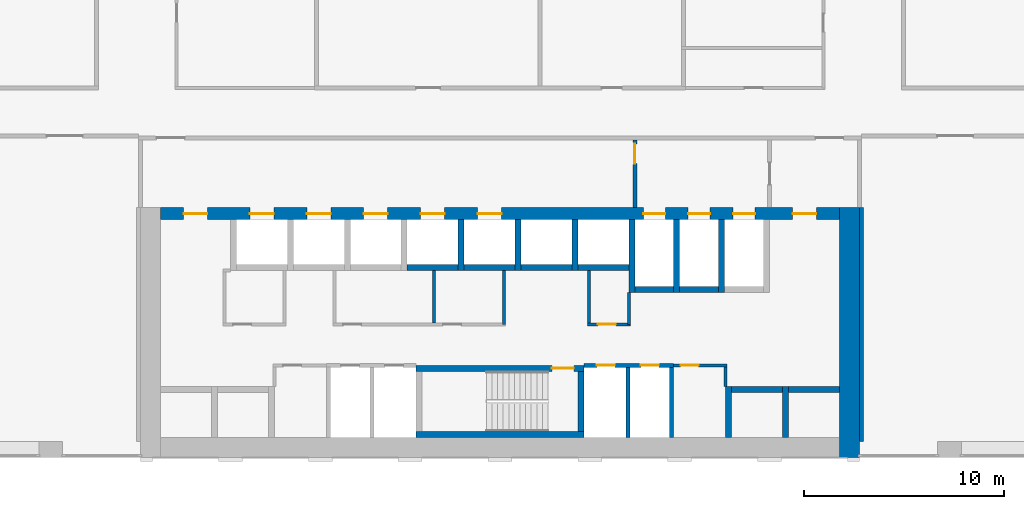
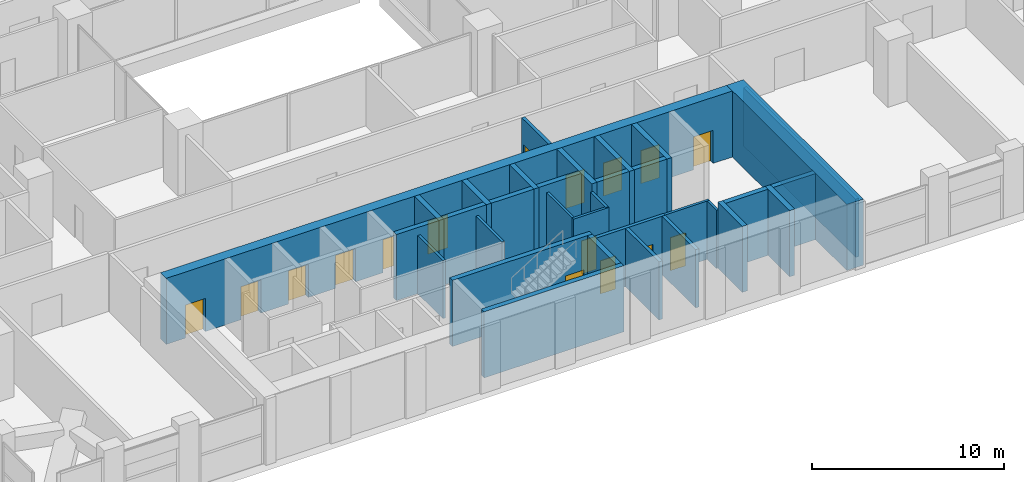
# One storey, part 16 of 20: 33 walls, 16 doors, 16 openings.
"""IFC4 building model written with IfcOpenShell, lengths in metres."""

from ifc_helpers import new_model, si_unit, direction, frame, frame_2d, origin, place, context, subcontext, project, spatial, rectangle, extrude, material, layer, layer_set, type_object, element, fill, save


model = new_model("IFC4")

# Units and contexts
model_context = context("Model", 3, precision=1e-05, world=origin(), true_north=direction((0.0, 1.0)))
body_context = subcontext(model_context, "Body", "Model", "MODEL_VIEW")
ifc_project = project(units=[si_unit("LENGTHUNIT", "METRE"), si_unit("AREAUNIT", "SQUARE_METRE"), si_unit("VOLUMEUNIT", "CUBIC_METRE"), si_unit("PLANEANGLEUNIT", "RADIAN"), si_unit("MASSUNIT", "GRAM", prefix="KILO")], contexts=[model_context])

# Site, building, storey
site_placement = place(None, origin())
site = spatial("IfcSite", under=ifc_project, at=site_placement, CompositionType="ELEMENT")
building_placement = place(site_placement, origin())
building = spatial("IfcBuilding", under=site, at=building_placement, Name="Brigalow Station Residences", CompositionType="ELEMENT")
storey_placement = place(building_placement, frame((0.0, 0.0, 73.050048828125)))
storey = spatial("IfcBuildingStorey", under=building, at=storey_placement, Name="L21", CompositionType="ELEMENT", Elevation=73.050048828125)

# Walls
ifc_material_1 = material(Name="Concrete C80", Category="concrete")
ifc_layer_1 = layer(ifc_material_1, 1.0)
ifc_layer_set_1 = layer_set([ifc_layer_1], Name="CORE SHEAR WALL 1000 C80")
wall_type_1 = type_object("IfcWallType", Name="CORE SHEAR WALL 1000 C80", PredefinedType="SHEAR", material=ifc_layer_set_1)
wall_1_placement = place(storey_placement, frame((53.5, 0.0, 0.0), z_axis=(0.0, 0.0, 1.0), x_axis=(0.0, 1.0, 0.0)))
element("IfcWall", 1, at=wall_1_placement, inside=storey, type_object=wall_type_1, Name="CORE WALL OUT-E L21", PredefinedType="SHEAR", context=body_context, shape_type="SweptSolid", body=[
    extrude(rectangle(XDim=12.5, YDim=1.0, at=frame_2d((6.25, 0.0))), origin(), (0.0, 0.0, 1.0), 4.199951171875),
])
ifc_material_2 = material(Name="Concrete C80", Category="concrete")
ifc_layer_2 = layer(ifc_material_2, 0.300048828125)
ifc_layer_set_2 = layer_set([ifc_layer_2], Name="CORE SHEAR WALL 300 C80")
wall_type_2 = type_object("IfcWallType", Name="CORE SHEAR WALL 300 C80", PredefinedType="SHEAR", material=ifc_layer_set_2)
wall_2_placement = place(storey_placement, frame((31.35009765625, 9.5, 0.0), z_axis=(0.0, 0.0, 1.0), x_axis=(1.0, 0.0, 0.0)))
element("IfcWall", 2, at=wall_2_placement, inside=storey, type_object=wall_type_2, Name="CORE WALL SH-P4-S L21", PredefinedType="SHEAR", context=body_context, shape_type="SweptSolid", body=[
    extrude(rectangle(XDim=2.5498046875, YDim=0.300048828125, at=frame_2d((1.27490234375, 0.0))), origin(), (0.0, 0.0, 1.0), 4.199951171875),
])
wall_3_placement = place(storey_placement, frame((34.199951171875, 9.5, 0.0), z_axis=(0.0, 0.0, 1.0), x_axis=(1.0, 0.0, 0.0)))
element("IfcWall", 3, at=wall_3_placement, inside=storey, type_object=wall_type_2, Name="CORE WALL SH-P5-S L21", PredefinedType="SHEAR", context=body_context, shape_type="SweptSolid", body=[
    extrude(rectangle(XDim=2.550048828125, YDim=0.300048828125, at=frame_2d((1.27490234375, 0.0))), origin(), (0.0, 0.0, 1.0), 4.199951171875),
])
wall_4_placement = place(storey_placement, frame((34.050048828125, 9.35009765625, 0.0), z_axis=(0.0, 0.0, 1.0), x_axis=(0.0, 1.0, 0.0)))
element("IfcWall", 4, at=wall_4_placement, inside=storey, type_object=wall_type_2, Name="CORE WALL SH-P5-W L21", PredefinedType="SHEAR", context=body_context, shape_type="SweptSolid", body=[
    extrude(rectangle(XDim=2.5498046875, YDim=0.300048828125, at=frame_2d((1.27490234375, 0.0))), origin(), (0.0, 0.0, 1.0), 4.199951171875),
])
wall_5_placement = place(storey_placement, frame((37.050048828125, 9.5, 0.0), z_axis=(0.0, 0.0, 1.0), x_axis=(1.0, 0.0, 0.0)))
element("IfcWall", 5, at=wall_5_placement, inside=storey, type_object=wall_type_2, Name="CORE WALL SH-X1-S L21", PredefinedType="SHEAR", context=body_context, shape_type="SweptSolid", body=[
    extrude(rectangle(XDim=2.550048828125, YDim=0.300048828125, at=frame_2d((1.27490234375, 0.0))), origin(), (0.0, 0.0, 1.0), 4.199951171875),
])
wall_6_placement = place(storey_placement, frame((36.89990234375, 9.35009765625, 0.0), z_axis=(0.0, 0.0, 1.0), x_axis=(0.0, 1.0, 0.0)))
element("IfcWall", 6, at=wall_6_placement, inside=storey, type_object=wall_type_2, Name="CORE WALL SH-X1-W L21", PredefinedType="SHEAR", context=body_context, shape_type="SweptSolid", body=[
    extrude(rectangle(XDim=2.5498046875, YDim=0.300048828125, at=frame_2d((1.27490234375, 0.0))), origin(), (0.0, 0.0, 1.0), 4.199951171875),
])
wall_7_placement = place(storey_placement, frame((39.89990234375, 9.5, 0.0), z_axis=(0.0, 0.0, 1.0), x_axis=(1.0, 0.0, 0.0)))
element("IfcWall", 7, at=wall_7_placement, inside=storey, type_object=wall_type_2, Name="CORE WALL SH-X2-S L21", PredefinedType="SHEAR", context=body_context, shape_type="SweptSolid", body=[
    extrude(rectangle(XDim=2.550048828125, YDim=0.300048828125, at=frame_2d((1.27490234375, 0.0))), origin(), (0.0, 0.0, 1.0), 4.199951171875),
])
wall_8_placement = place(storey_placement, frame((39.75, 9.35009765625, 0.0), z_axis=(0.0, 0.0, 1.0), x_axis=(0.0, 1.0, 0.0)))
element("IfcWall", 8, at=wall_8_placement, inside=storey, type_object=wall_type_2, Name="CORE WALL SH-X2-W L21", PredefinedType="SHEAR", context=body_context, shape_type="SweptSolid", body=[
    extrude(rectangle(XDim=2.5498046875, YDim=0.300048828125, at=frame_2d((1.27490234375, 0.0))), origin(), (0.0, 0.0, 1.0), 4.199951171875),
])
wall_9_placement = place(storey_placement, frame((42.75, 8.39990234375, 0.0), z_axis=(0.0, 0.0, 1.0), x_axis=(1.0, 0.0, 0.0)))
element("IfcWall", 9, at=wall_9_placement, inside=storey, type_object=wall_type_2, Name="CORE WALL SH-FF1-S L21", PredefinedType="SHEAR", context=body_context, shape_type="SweptSolid", body=[
    extrude(rectangle(XDim=1.949951171875, YDim=0.300048828125, at=frame_2d((0.97509765625, 0.0))), origin(), (0.0, 0.0, 1.0), 4.199951171875),
])
wall_10_placement = place(storey_placement, frame((42.60009765625, 8.25, 0.0), z_axis=(0.0, 0.0, 1.0), x_axis=(0.0, 1.0, 0.0)))
element("IfcWall", 10, at=wall_10_placement, inside=storey, type_object=wall_type_2, Name="CORE WALL SH-FF1-W L21", PredefinedType="SHEAR", context=body_context, shape_type="SweptSolid", body=[
    extrude(rectangle(XDim=3.64990234375, YDim=0.300048828125, at=frame_2d((1.824951171875, 0.0))), origin(), (0.0, 0.0, 1.0), 4.199951171875),
])
wall_11_placement = place(storey_placement, frame((45.0, 8.39990234375, 0.0), z_axis=(0.0, 0.0, 1.0), x_axis=(1.0, 0.0, 0.0)))
element("IfcWall", 11, at=wall_11_placement, inside=storey, type_object=wall_type_2, Name="CORE WALL SH-FF2-S L21", PredefinedType="SHEAR", context=body_context, shape_type="SweptSolid", body=[
    extrude(rectangle(XDim=1.949951171875, YDim=0.300048828125, at=frame_2d((0.97509765625, 0.0))), origin(), (0.0, 0.0, 1.0), 4.199951171875),
])
for number, where, z_axis, x_axis, name in (
    (12, (44.85009765625, 8.25, 0.0), (0.0, 0.0, 1.0), (0.0, 1.0, 0.0), "CORE WALL SH-FF2-W L21"),
    (13, (47.10009765625, 8.25, 0.0), (0.0, 0.0, 1.0), (0.0, 1.0, 0.0), "CORE WALL SH-SL1-W L21"),
):
    element("IfcWall", number, at=place(storey_placement, frame(where, z_axis=z_axis, x_axis=x_axis)), inside=storey, type_object=wall_type_2, Name=name, PredefinedType="SHEAR", context=body_context, shape_type="SweptSolid", body=[
        extrude(rectangle(XDim=3.64990234375, YDim=0.300048828125, at=frame_2d((1.824951171875, 0.0))), origin(), (0.0, 0.0, 1.0), 4.199951171875),
    ])
wall_12_placement = place(storey_placement, frame((47.60009765625, 3.39990234375, 0.0), z_axis=(0.0, 0.0, 1.0), x_axis=(1.0, 0.0, 0.0)))
element("IfcWall", 14, at=wall_12_placement, inside=storey, type_object=wall_type_2, Name="CORE WALL SH-C3-N L21", PredefinedType="SHEAR", context=body_context, shape_type="SweptSolid", body=[
    extrude(rectangle(XDim=2.5498046875, YDim=0.300048828125, at=frame_2d((1.27490234375, 0.0))), origin(), (0.0, 0.0, 1.0), 4.199951171875),
])
for number, where, z_axis, x_axis, name in (
    (15, (47.449951171875, 1.0, 0.0), (0.0, 0.0, 1.0), (0.0, 1.0, 0.0), "CORE WALL SH-C3-W L21"),
    (16, (50.449951171875, 3.39990234375, 0.0), (0.0, 0.0, 1.0), (1.0, 0.0, 0.0), "CORE WALL SH-C4-N L21"),
    (17, (50.300048828125, 1.0, 0.0), (0.0, 0.0, 1.0), (0.0, 1.0, 0.0), "CORE WALL SH-C4-W L21"),
):
    element("IfcWall", number, at=place(storey_placement, frame(where, z_axis=z_axis, x_axis=x_axis)), inside=storey, type_object=wall_type_2, Name=name, PredefinedType="SHEAR", context=body_context, shape_type="SweptSolid", body=[
        extrude(rectangle(XDim=2.550048828125, YDim=0.300048828125, at=frame_2d((1.27490234375, 0.0))), origin(), (0.0, 0.0, 1.0), 4.199951171875),
    ])
wall_13_placement = place(storey_placement, frame((31.800048828125, 1.14990234375, 0.0), z_axis=(0.0, 0.0, 1.0), x_axis=(1.0, 0.0, 0.0)))
element("IfcWall", 18, at=wall_13_placement, inside=storey, type_object=wall_type_2, Name="CORE WALL ST-S2-S L21", PredefinedType="SHEAR", context=body_context, shape_type="SweptSolid", body=[
    extrude(rectangle(XDim=8.39990234375, YDim=0.300048828125, at=frame_2d((4.199951171875, 0.0))), origin(), (0.0, 0.0, 1.0), 4.199951171875),
])

# Wall, opening, door
wall_14_placement = place(storey_placement, frame((31.800048828125, 4.449951171875, 0.0), z_axis=(0.0, 0.0, 1.0), x_axis=(1.0, 0.0, 0.0)))
wall_14 = element("IfcWall", 19, at=wall_14_placement, inside=storey, type_object=wall_type_2, Name="CORE WALL ST-S2-N L21", PredefinedType="SHEAR", context=body_context, shape_type="SweptSolid", body=[
    extrude(rectangle(XDim=8.39990234375, YDim=0.300048828125, at=frame_2d((4.199951171875, 0.0))), origin(), (0.0, 0.0, 1.0), 4.199951171875),
])
opening_1_placement = place(wall_14_placement, frame((6.800048828125, 0.0, 0.0)))
opening_1 = element("IfcOpeningElement", 20, at=opening_1_placement, cuts=wall_14, Name="Opening D-5001", PredefinedType="OPENING", context=body_context, shape_type="SweptSolid", body=[
    extrude(rectangle(XDim=1.10009765625, YDim=2.10009765625, at=frame_2d((0.550048828125, 1.050048828125))), frame((0.0, 0.16015625, 0.0), z_axis=(0.0, -1.0, 0.0), x_axis=(1.0, 0.0, 0.0)), (0.0, 0.0, 1.0), 0.320068359375),
])
ifc_material_3 = material(Name="Steel fire door leaf in steel frame", Category="steel")
door_type_1 = type_object("IfcDoorType", Name="STAIR DOOR 1100 x 2100 FD60S", OperationType="SINGLE_SWING_LEFT", PredefinedType="DOOR", material=ifc_material_3)
door_1_placement = place(opening_1_placement, frame((1.10009765625, 0.0, 0.0), z_axis=(0.0, 0.0, 1.0), x_axis=(-1.0, 0.0, 0.0)))
door_1 = element("IfcDoor", 21, at=door_1_placement, inside=storey, type_object=door_type_1, Name="D-5001", OperationType="SINGLE_SWING_LEFT", OverallHeight=2.10009765625, OverallWidth=1.10009765625, PredefinedType="DOOR", context=body_context, shape_type="SweptSolid", body=[
    extrude(rectangle(XDim=1.10009765625, YDim=2.10009765625, at=frame_2d((0.550048828125, 1.050048828125))), frame((0.0, 0.02490234375, 0.0), z_axis=(0.0, -1.0, 0.0), x_axis=(1.0, 0.0, 0.0)), (0.0, 0.0, 1.0), 0.050048828125),
])
fill(opening_1, door_1)

# Wall
wall_15_placement = place(storey_placement, frame((40.050048828125, 1.300048828125, 0.0), z_axis=(0.0, 0.0, 1.0), x_axis=(0.0, 1.0, 0.0)))
element("IfcWall", 22, at=wall_15_placement, inside=storey, type_object=wall_type_2, Name="CORE WALL ST-S2-E L21", PredefinedType="SHEAR", context=body_context, shape_type="SweptSolid", body=[
    extrude(rectangle(XDim=3.0, YDim=0.300048828125, at=frame_2d((1.5, 0.0))), origin(), (0.0, 0.0, 1.0), 4.199951171875),
])

# Wall, openings, doors
ifc_material_4 = material(Name="Concrete C80", Category="concrete")
ifc_layer_3 = layer(ifc_material_4, 0.60009765625)
ifc_layer_set_3 = layer_set([ifc_layer_3], Name="CORE SHEAR WALL 600 C80")
wall_type_3 = type_object("IfcWallType", Name="CORE SHEAR WALL 600 C80", PredefinedType="SHEAR", material=ifc_layer_set_3)
wall_16_placement = place(storey_placement, frame((19.0, 12.199951171875, 0.0), z_axis=(0.0, 0.0, 1.0), x_axis=(1.0, 0.0, 0.0)))
wall_16 = element("IfcWall", 23, at=wall_16_placement, inside=storey, type_object=wall_type_3, Name="CORE WALL OUT-N L21", PredefinedType="SHEAR", context=body_context, shape_type="SweptSolid", body=[
    extrude(rectangle(XDim=34.0, YDim=0.60009765625, at=frame_2d((17.0, 0.0))), origin(), (0.0, 0.0, 1.0), 4.199951171875),
])
opening_2_placement = place(wall_16_placement, frame((4.47509765625, 0.0, 0.0)))
opening_2 = element("IfcOpeningElement", 24, at=opening_2_placement, cuts=wall_16, Name="Opening LD-LA1", PredefinedType="OPENING", context=body_context, shape_type="SweptSolid", body=[
    extrude(rectangle(XDim=1.199951171875, YDim=2.10009765625, at=frame_2d((0.60009765625, 1.050048828125))), frame((0.0, 0.31005859375, 0.0), z_axis=(0.0, -1.0, 0.0), x_axis=(1.0, 0.0, 0.0)), (0.0, 0.0, 1.0), 0.6201171875),
])
opening_3_placement = place(wall_16_placement, frame((7.324951171875, 0.0, 0.0)))
opening_3 = element("IfcOpeningElement", 25, at=opening_3_placement, cuts=wall_16, Name="Opening LD-LA2", PredefinedType="OPENING", context=body_context, shape_type="SweptSolid", body=[
    extrude(rectangle(XDim=1.199951171875, YDim=2.10009765625, at=frame_2d((0.60009765625, 1.050048828125))), frame((0.0, 0.31005859375, 0.0), z_axis=(0.0, -1.0, 0.0), x_axis=(1.0, 0.0, 0.0)), (0.0, 0.0, 1.0), 0.6201171875),
])
opening_4_placement = place(wall_16_placement, frame((10.175048828125, 0.0, 0.0)))
opening_4 = element("IfcOpeningElement", 26, at=opening_4_placement, cuts=wall_16, Name="Opening LD-LA3", PredefinedType="OPENING", context=body_context, shape_type="SweptSolid", body=[
    extrude(rectangle(XDim=1.199951171875, YDim=2.10009765625, at=frame_2d((0.60009765625, 1.050048828125))), frame((0.0, 0.31005859375, 0.0), z_axis=(0.0, -1.0, 0.0), x_axis=(1.0, 0.0, 0.0)), (0.0, 0.0, 1.0), 0.6201171875),
])
opening_5_placement = place(wall_16_placement, frame((13.02490234375, 0.0, 0.0)))
opening_5 = element("IfcOpeningElement", 27, at=opening_5_placement, cuts=wall_16, Name="Opening LD-LA4", PredefinedType="OPENING", context=body_context, shape_type="SweptSolid", body=[
    extrude(rectangle(XDim=1.199951171875, YDim=2.10009765625, at=frame_2d((0.60009765625, 1.050048828125))), frame((0.0, 0.31005859375, 0.0), z_axis=(0.0, -1.0, 0.0), x_axis=(1.0, 0.0, 0.0)), (0.0, 0.0, 1.0), 0.6201171875),
])
opening_6_placement = place(wall_16_placement, frame((15.875, 0.0, 0.0)))
opening_6 = element("IfcOpeningElement", 28, at=opening_6_placement, cuts=wall_16, Name="Opening LD-LA5", PredefinedType="OPENING", context=body_context, shape_type="SweptSolid", body=[
    extrude(rectangle(XDim=1.199951171875, YDim=2.10009765625, at=frame_2d((0.60009765625, 1.050048828125))), frame((0.0, 0.31005859375, 0.0), z_axis=(0.0, -1.0, 0.0), x_axis=(1.0, 0.0, 0.0)), (0.0, 0.0, 1.0), 0.6201171875),
])
opening_7_placement = place(wall_16_placement, frame((24.175048828125, 0.0, 0.0)))
opening_7 = element("IfcOpeningElement", 29, at=opening_7_placement, cuts=wall_16, Name="Opening LD-LF1", PredefinedType="OPENING", context=body_context, shape_type="SweptSolid", body=[
    extrude(rectangle(XDim=1.10009765625, YDim=2.10009765625, at=frame_2d((0.550048828125, 1.050048828125))), frame((0.0, 0.31005859375, 0.0), z_axis=(0.0, -1.0, 0.0), x_axis=(1.0, 0.0, 0.0)), (0.0, 0.0, 1.0), 0.6201171875),
])
opening_8_placement = place(wall_16_placement, frame((26.425048828125, 0.0, 0.0)))
opening_8 = element("IfcOpeningElement", 30, at=opening_8_placement, cuts=wall_16, Name="Opening LD-LF2", PredefinedType="OPENING", context=body_context, shape_type="SweptSolid", body=[
    extrude(rectangle(XDim=1.10009765625, YDim=2.10009765625, at=frame_2d((0.550048828125, 1.050048828125))), frame((0.0, 0.31005859375, 0.0), z_axis=(0.0, -1.0, 0.0), x_axis=(1.0, 0.0, 0.0)), (0.0, 0.0, 1.0), 0.6201171875),
])
opening_9_placement = place(wall_16_placement, frame((28.675048828125, 0.0, 0.0)))
opening_9 = element("IfcOpeningElement", 31, at=opening_9_placement, cuts=wall_16, Name="Opening LD-LG1", PredefinedType="OPENING", context=body_context, shape_type="SweptSolid", body=[
    extrude(rectangle(XDim=1.10009765625, YDim=2.10009765625, at=frame_2d((0.550048828125, 1.050048828125))), frame((0.0, 0.31005859375, 0.0), z_axis=(0.0, -1.0, 0.0), x_axis=(1.0, 0.0, 0.0)), (0.0, 0.0, 1.0), 0.6201171875),
])
opening_10_placement = place(wall_16_placement, frame((1.14990234375, 0.0, 0.0)))
opening_10 = element("IfcOpeningElement", 32, at=opening_10_placement, cuts=wall_16, Name="Opening D-5011", PredefinedType="OPENING", context=body_context, shape_type="SweptSolid", body=[
    extrude(rectangle(XDim=1.199951171875, YDim=2.10009765625, at=frame_2d((0.60009765625, 1.050048828125))), frame((0.0, 0.31005859375, 0.0), z_axis=(0.0, -1.0, 0.0), x_axis=(1.0, 0.0, 0.0)), (0.0, 0.0, 1.0), 0.6201171875),
])
opening_11_placement = place(wall_16_placement, frame((31.64990234375, 0.0, 0.0)))
opening_11 = element("IfcOpeningElement", 33, at=opening_11_placement, cuts=wall_16, Name="Opening D-5012", PredefinedType="OPENING", context=body_context, shape_type="SweptSolid", body=[
    extrude(rectangle(XDim=1.199951171875, YDim=2.10009765625, at=frame_2d((0.60009765625, 1.050048828125))), frame((0.0, 0.31005859375, 0.0), z_axis=(0.0, -1.0, 0.0), x_axis=(1.0, 0.0, 0.0)), (0.0, 0.0, 1.0), 0.6201171875),
])
ifc_material_5 = material(Name="Steel fire door leaf in steel frame", Category="steel")
door_type_2 = type_object("IfcDoorType", Name="CORE CORRIDOR DOOR 1200 x 2100 FD60S", OperationType="SINGLE_SWING_LEFT", PredefinedType="DOOR", material=ifc_material_5)
door_2_placement = place(opening_10_placement, frame((1.199951171875, 0.0, 0.0), z_axis=(0.0, 0.0, 1.0), x_axis=(-1.0, 0.0, 0.0)))
door_2 = element("IfcDoor", 34, at=door_2_placement, inside=storey, type_object=door_type_2, Name="D-5011", OperationType="SINGLE_SWING_LEFT", OverallHeight=2.10009765625, OverallWidth=1.199951171875, PredefinedType="DOOR", context=body_context, shape_type="SweptSolid", body=[
    extrude(rectangle(XDim=1.199951171875, YDim=2.10009765625, at=frame_2d((0.60009765625, 1.050048828125))), frame((0.0, 0.02490234375, 0.0), z_axis=(0.0, -1.0, 0.0), x_axis=(1.0, 0.0, 0.0)), (0.0, 0.0, 1.0), 0.050048828125),
])
fill(opening_10, door_2)
door_3_placement = place(opening_11_placement, frame((1.199951171875, 0.0, 0.0), z_axis=(0.0, 0.0, 1.0), x_axis=(-1.0, 0.0, 0.0)))
door_3 = element("IfcDoor", 35, at=door_3_placement, inside=storey, type_object=door_type_2, Name="D-5012", OperationType="SINGLE_SWING_LEFT", OverallHeight=2.10009765625, OverallWidth=1.199951171875, PredefinedType="DOOR", context=body_context, shape_type="SweptSolid", body=[
    extrude(rectangle(XDim=1.199951171875, YDim=2.10009765625, at=frame_2d((0.60009765625, 1.050048828125))), frame((0.0, 0.02490234375, 0.0), z_axis=(0.0, -1.0, 0.0), x_axis=(1.0, 0.0, 0.0)), (0.0, 0.0, 1.0), 0.050048828125),
])
fill(opening_11, door_3)
ifc_material_6 = material(Name="Stainless steel sliding door leaves", Category="steel")
door_type_3 = type_object("IfcDoorType", Name="LIFT LANDING DOOR 1100 x 2100", OperationType="DOUBLE_DOOR_SLIDING", PredefinedType="DOOR", material=ifc_material_6)
door_4_placement = place(opening_7_placement, origin())
door_4 = element("IfcDoor", 36, at=door_4_placement, inside=storey, type_object=door_type_3, Name="LANDING DOOR LF1", OperationType="DOUBLE_DOOR_SLIDING", OverallHeight=2.10009765625, OverallWidth=1.10009765625, PredefinedType="DOOR", context=body_context, shape_type="SweptSolid", body=[
    extrude(rectangle(XDim=1.10009765625, YDim=2.10009765625, at=frame_2d((0.550048828125, 1.050048828125))), frame((0.0, 0.02490234375, 0.0), z_axis=(0.0, -1.0, 0.0), x_axis=(1.0, 0.0, 0.0)), (0.0, 0.0, 1.0), 0.050048828125),
])
fill(opening_7, door_4)
door_5_placement = place(opening_8_placement, origin())
door_5 = element("IfcDoor", 37, at=door_5_placement, inside=storey, type_object=door_type_3, Name="LANDING DOOR LF2", OperationType="DOUBLE_DOOR_SLIDING", OverallHeight=2.10009765625, OverallWidth=1.10009765625, PredefinedType="DOOR", context=body_context, shape_type="SweptSolid", body=[
    extrude(rectangle(XDim=1.10009765625, YDim=2.10009765625, at=frame_2d((0.550048828125, 1.050048828125))), frame((0.0, 0.02490234375, 0.0), z_axis=(0.0, -1.0, 0.0), x_axis=(1.0, 0.0, 0.0)), (0.0, 0.0, 1.0), 0.050048828125),
])
fill(opening_8, door_5)
door_6_placement = place(opening_9_placement, origin())
door_6 = element("IfcDoor", 38, at=door_6_placement, inside=storey, type_object=door_type_3, Name="LANDING DOOR LG1", OperationType="DOUBLE_DOOR_SLIDING", OverallHeight=2.10009765625, OverallWidth=1.10009765625, PredefinedType="DOOR", context=body_context, shape_type="SweptSolid", body=[
    extrude(rectangle(XDim=1.10009765625, YDim=2.10009765625, at=frame_2d((0.550048828125, 1.050048828125))), frame((0.0, 0.02490234375, 0.0), z_axis=(0.0, -1.0, 0.0), x_axis=(1.0, 0.0, 0.0)), (0.0, 0.0, 1.0), 0.050048828125),
])
fill(opening_9, door_6)
ifc_material_7 = material(Name="Stainless steel sliding door leaves", Category="steel")
door_type_4 = type_object("IfcDoorType", Name="LIFT LANDING DOOR 1200 x 2100", OperationType="DOUBLE_DOOR_SLIDING", PredefinedType="DOOR", material=ifc_material_7)
door_7_placement = place(opening_2_placement, origin())
door_7 = element("IfcDoor", 39, at=door_7_placement, inside=storey, type_object=door_type_4, Name="LANDING DOOR LA1", OperationType="DOUBLE_DOOR_SLIDING", OverallHeight=2.10009765625, OverallWidth=1.199951171875, PredefinedType="DOOR", context=body_context, shape_type="SweptSolid", body=[
    extrude(rectangle(XDim=1.199951171875, YDim=2.10009765625, at=frame_2d((0.60009765625, 1.050048828125))), frame((0.0, 0.02490234375, 0.0), z_axis=(0.0, -1.0, 0.0), x_axis=(1.0, 0.0, 0.0)), (0.0, 0.0, 1.0), 0.050048828125),
])
fill(opening_2, door_7)
door_8_placement = place(opening_3_placement, origin())
door_8 = element("IfcDoor", 40, at=door_8_placement, inside=storey, type_object=door_type_4, Name="LANDING DOOR LA2", OperationType="DOUBLE_DOOR_SLIDING", OverallHeight=2.10009765625, OverallWidth=1.199951171875, PredefinedType="DOOR", context=body_context, shape_type="SweptSolid", body=[
    extrude(rectangle(XDim=1.199951171875, YDim=2.10009765625, at=frame_2d((0.60009765625, 1.050048828125))), frame((0.0, 0.02490234375, 0.0), z_axis=(0.0, -1.0, 0.0), x_axis=(1.0, 0.0, 0.0)), (0.0, 0.0, 1.0), 0.050048828125),
])
fill(opening_3, door_8)
door_9_placement = place(opening_4_placement, origin())
door_9 = element("IfcDoor", 41, at=door_9_placement, inside=storey, type_object=door_type_4, Name="LANDING DOOR LA3", OperationType="DOUBLE_DOOR_SLIDING", OverallHeight=2.10009765625, OverallWidth=1.199951171875, PredefinedType="DOOR", context=body_context, shape_type="SweptSolid", body=[
    extrude(rectangle(XDim=1.199951171875, YDim=2.10009765625, at=frame_2d((0.60009765625, 1.050048828125))), frame((0.0, 0.02490234375, 0.0), z_axis=(0.0, -1.0, 0.0), x_axis=(1.0, 0.0, 0.0)), (0.0, 0.0, 1.0), 0.050048828125),
])
fill(opening_4, door_9)
door_10_placement = place(opening_5_placement, origin())
door_10 = element("IfcDoor", 42, at=door_10_placement, inside=storey, type_object=door_type_4, Name="LANDING DOOR LA4", OperationType="DOUBLE_DOOR_SLIDING", OverallHeight=2.10009765625, OverallWidth=1.199951171875, PredefinedType="DOOR", context=body_context, shape_type="SweptSolid", body=[
    extrude(rectangle(XDim=1.199951171875, YDim=2.10009765625, at=frame_2d((0.60009765625, 1.050048828125))), frame((0.0, 0.02490234375, 0.0), z_axis=(0.0, -1.0, 0.0), x_axis=(1.0, 0.0, 0.0)), (0.0, 0.0, 1.0), 0.050048828125),
])
fill(opening_5, door_10)
door_11_placement = place(opening_6_placement, origin())
door_11 = element("IfcDoor", 43, at=door_11_placement, inside=storey, type_object=door_type_4, Name="LANDING DOOR LA5", OperationType="DOUBLE_DOOR_SLIDING", OverallHeight=2.10009765625, OverallWidth=1.199951171875, PredefinedType="DOOR", context=body_context, shape_type="SweptSolid", body=[
    extrude(rectangle(XDim=1.199951171875, YDim=2.10009765625, at=frame_2d((0.60009765625, 1.050048828125))), frame((0.0, 0.02490234375, 0.0), z_axis=(0.0, -1.0, 0.0), x_axis=(1.0, 0.0, 0.0)), (0.0, 0.0, 1.0), 0.050048828125),
])
fill(opening_6, door_11)

ifc_material_8 = material(Name="Concrete blockwork", Category="masonry")
ifc_layer_4 = layer(ifc_material_8, 0.199951171875)
ifc_layer_set_4 = layer_set([ifc_layer_4], Name="FIRE RATED CORE PARTITION 200")
wall_type_4 = type_object("IfcWallType", Name="FIRE RATED CORE PARTITION 200", PredefinedType="PARTITIONING", material=ifc_layer_set_4)
wall_17_placement = place(storey_placement, frame((40.199951171875, 4.60009765625, 0.0), z_axis=(0.0, 0.0, 1.0), x_axis=(1.0, 0.0, 0.0)))
wall_17 = element("IfcWall", 44, at=wall_17_placement, inside=storey, type_object=wall_type_4, Name="PW-5018", PredefinedType="PARTITIONING", context=body_context, shape_type="SweptSolid", body=[
    extrude(rectangle(XDim=4.5, YDim=0.199951171875, at=frame_2d((2.25, 0.0))), origin(), (0.0, 0.0, 1.0), 3.699951171875),
])
opening_12_placement = place(wall_17_placement, frame((0.64990234375, 0.0, 0.0)))
opening_12 = element("IfcOpeningElement", 45, at=opening_12_placement, cuts=wall_17, Name="Opening D-5009", PredefinedType="OPENING", context=body_context, shape_type="SweptSolid", body=[
    extrude(rectangle(XDim=0.89990234375, YDim=2.10009765625, at=frame_2d((0.449951171875, 1.050048828125))), frame((0.0, 0.10986328125, 0.0), z_axis=(0.0, -1.0, 0.0), x_axis=(1.0, 0.0, 0.0)), (0.0, 0.0, 1.0), 0.219970703125),
])
opening_13_placement = place(wall_17_placement, frame((2.85009765625, 0.0, 0.0)))
opening_13 = element("IfcOpeningElement", 46, at=opening_13_placement, cuts=wall_17, Name="Opening D-5010", PredefinedType="OPENING", context=body_context, shape_type="SweptSolid", body=[
    extrude(rectangle(XDim=0.89990234375, YDim=2.10009765625, at=frame_2d((0.449951171875, 1.050048828125))), frame((0.0, 0.10986328125, 0.0), z_axis=(0.0, -1.0, 0.0), x_axis=(1.0, 0.0, 0.0)), (0.0, 0.0, 1.0), 0.219970703125),
])
ifc_material_9 = material(Name="Steel fire door leaf in steel frame", Category="steel")
door_type_5 = type_object("IfcDoorType", Name="RISER ACCESS DOOR 900 x 2100 FD120", OperationType="SINGLE_SWING_LEFT", PredefinedType="DOOR", material=ifc_material_9)
door_12_placement = place(opening_12_placement, frame((0.89990234375, 0.0, 0.0), z_axis=(0.0, 0.0, 1.0), x_axis=(-1.0, 0.0, 0.0)))
door_12 = element("IfcDoor", 47, at=door_12_placement, inside=storey, type_object=door_type_5, Name="D-5009", OperationType="SINGLE_SWING_LEFT", OverallHeight=2.10009765625, OverallWidth=0.89990234375, PredefinedType="DOOR", context=body_context, shape_type="SweptSolid", body=[
    extrude(rectangle(XDim=0.89990234375, YDim=2.10009765625, at=frame_2d((0.449951171875, 1.050048828125))), frame((0.0, 0.02490234375, 0.0), z_axis=(0.0, -1.0, 0.0), x_axis=(1.0, 0.0, 0.0)), (0.0, 0.0, 1.0), 0.050048828125),
])
fill(opening_12, door_12)
door_13_placement = place(opening_13_placement, frame((0.89990234375, 0.0, 0.0), z_axis=(0.0, 0.0, 1.0), x_axis=(-1.0, 0.0, 0.0)))
door_13 = element("IfcDoor", 48, at=door_13_placement, inside=storey, type_object=door_type_5, Name="D-5010", OperationType="SINGLE_SWING_RIGHT", OverallHeight=2.10009765625, OverallWidth=0.89990234375, PredefinedType="DOOR", context=body_context, shape_type="SweptSolid", body=[
    extrude(rectangle(XDim=0.89990234375, YDim=2.10009765625, at=frame_2d((0.449951171875, 1.050048828125))), frame((0.0, 0.02490234375, 0.0), z_axis=(0.0, -1.0, 0.0), x_axis=(1.0, 0.0, 0.0)), (0.0, 0.0, 1.0), 0.050048828125),
])
fill(opening_13, door_13)

# Walls
for number, where, z_axis, x_axis, name in (
    (49, (42.39990234375, 1.0, 0.0), (0.0, 0.0, 1.0), (0.0, 1.0, 0.0), "PW-5007"),
    (50, (44.60009765625, 1.0, 0.0), (0.0, 0.0, 1.0), (0.0, 1.0, 0.0), "PW-5008"),
):
    element("IfcWall", number, at=place(storey_placement, frame(where, z_axis=z_axis, x_axis=x_axis)), inside=storey, type_object=wall_type_4, Name=name, PredefinedType="PARTITIONING", context=body_context, shape_type="SweptSolid", body=[
        extrude(rectangle(XDim=3.5, YDim=0.199951171875, at=frame_2d((1.75, 0.0))), origin(), (0.0, 0.0, 1.0), 3.699951171875),
    ])

# Wall, opening, door
wall_18_placement = place(storey_placement, frame((42.75, 12.5, 0.0), z_axis=(0.0, 0.0, 1.0), x_axis=(0.0, 1.0, 0.0)))
wall_18 = element("IfcWall", 51, at=wall_18_placement, inside=storey, type_object=wall_type_4, Name="PW-5014", PredefinedType="PARTITIONING", context=body_context, shape_type="SweptSolid", body=[
    extrude(rectangle(XDim=3.39990234375, YDim=0.199951171875, at=frame_2d((1.699951171875, 0.0))), origin(), (0.0, 0.0, 1.0), 3.699951171875),
])
opening_14_placement = place(wall_18_placement, frame((2.199951171875, 0.0, 0.0)))
opening_14 = element("IfcOpeningElement", 52, at=opening_14_placement, cuts=wall_18, Name="Opening D-5013", PredefinedType="OPENING", context=body_context, shape_type="SweptSolid", body=[
    extrude(rectangle(XDim=1.0, YDim=2.10009765625, at=frame_2d((0.5, 1.050048828125))), frame((0.0, 0.10986328125, 0.0), z_axis=(0.0, -1.0, 0.0), x_axis=(1.0, 0.0, 0.0)), (0.0, 0.0, 1.0), 0.219970703125),
])
ifc_material_10 = material(Name="Steel fire door leaf in steel frame", Category="steel")
door_type_6 = type_object("IfcDoorType", Name="LOBBY DOOR 1000 x 2100 FD60S", OperationType="SINGLE_SWING_LEFT", PredefinedType="DOOR", material=ifc_material_10)
door_14_placement = place(opening_14_placement, origin())
door_14 = element("IfcDoor", 53, at=door_14_placement, inside=storey, type_object=door_type_6, Name="D-5013", OperationType="SINGLE_SWING_RIGHT", OverallHeight=2.10009765625, OverallWidth=1.0, PredefinedType="DOOR", context=body_context, shape_type="SweptSolid", body=[
    extrude(rectangle(XDim=1.0, YDim=2.10009765625, at=frame_2d((0.5, 1.050048828125))), frame((0.0, 0.02490234375, 0.0), z_axis=(0.0, -1.0, 0.0), x_axis=(1.0, 0.0, 0.0)), (0.0, 0.0, 1.0), 0.050048828125),
])
fill(opening_14, door_14)

# Wall
wall_19_placement = place(storey_placement, frame((54.10009765625, 0.800048828125, 0.0), z_axis=(0.0, 0.0, 1.0), x_axis=(0.0, 1.0, 0.0)))
element("IfcWall", 54, at=wall_19_placement, inside=storey, type_object=wall_type_4, Name="PW-5178", PredefinedType="PARTITIONING", context=body_context, shape_type="SweptSolid", body=[
    extrude(rectangle(XDim=11.699951171875, YDim=0.199951171875, at=frame_2d((5.85009765625, 0.0))), origin(), (0.0, 0.0, 1.0), 3.699951171875),
])

# Wall, opening, door
ifc_material_11 = material(Name="Plasterboard on steel studs", Category="steel")
ifc_layer_5 = layer(ifc_material_11, 0.14990234375)
ifc_layer_set_5 = layer_set([ifc_layer_5], Name="SERVICE ROOM PARTITION 150")
wall_type_5 = type_object("IfcWallType", Name="SERVICE ROOM PARTITION 150", PredefinedType="PARTITIONING", material=ifc_layer_set_5)
wall_20_placement = place(storey_placement, frame((44.699951171875, 4.60009765625, 0.0), z_axis=(0.0, 0.0, 1.0), x_axis=(1.0, 0.0, 0.0)))
wall_20 = element("IfcWall", 55, at=wall_20_placement, inside=storey, type_object=wall_type_5, Name="PW-5156", PredefinedType="PARTITIONING", context=body_context, shape_type="SweptSolid", body=[
    extrude(rectangle(XDim=2.675048828125, YDim=0.14990234375, at=frame_2d((1.33740234375, 0.0))), origin(), (0.0, 0.0, 1.0), 3.699951171875),
])
opening_15_placement = place(wall_20_placement, frame((0.35009765625, 0.0, 0.0)))
opening_15 = element("IfcOpeningElement", 56, at=opening_15_placement, cuts=wall_20, Name="Opening D-5026", PredefinedType="OPENING", context=body_context, shape_type="SweptSolid", body=[
    extrude(rectangle(XDim=0.89990234375, YDim=2.10009765625, at=frame_2d((0.449951171875, 1.050048828125))), frame((0.0, 0.0849609375, 0.0), z_axis=(0.0, -1.0, 0.0), x_axis=(1.0, 0.0, 0.0)), (0.0, 0.0, 1.0), 0.169921875),
])
ifc_material_12 = material(Name="Steel door leaf in steel frame", Category="steel")
door_type_7 = type_object("IfcDoorType", Name="SERVICE ROOM DOOR 900 x 2100 FD60", OperationType="SINGLE_SWING_LEFT", PredefinedType="DOOR", material=ifc_material_12)
door_15_placement = place(opening_15_placement, frame((0.89990234375, 0.0, 0.0), z_axis=(0.0, 0.0, 1.0), x_axis=(-1.0, 0.0, 0.0)))
door_15 = element("IfcDoor", 57, at=door_15_placement, inside=storey, type_object=door_type_7, Name="D-5026", OperationType="SINGLE_SWING_RIGHT", OverallHeight=2.10009765625, OverallWidth=0.89990234375, PredefinedType="DOOR", context=body_context, shape_type="SweptSolid", body=[
    extrude(rectangle(XDim=0.89990234375, YDim=2.10009765625, at=frame_2d((0.449951171875, 1.050048828125))), frame((0.0, 0.02490234375, 0.0), z_axis=(0.0, -1.0, 0.0), x_axis=(1.0, 0.0, 0.0)), (0.0, 0.0, 1.0), 0.050048828125),
])
fill(opening_15, door_15)

wall_21_placement = place(storey_placement, frame((40.375, 6.64990234375, 0.0), z_axis=(0.0, 0.0, 1.0), x_axis=(1.0, 0.0, 0.0)))
wall_21 = element("IfcWall", 58, at=wall_21_placement, inside=storey, type_object=wall_type_5, Name="PW-5128", PredefinedType="PARTITIONING", context=body_context, shape_type="SweptSolid", body=[
    extrude(rectangle(XDim=2.14990234375, YDim=0.14990234375, at=frame_2d((1.074951171875, 0.0))), origin(), (0.0, 0.0, 1.0), 3.699951171875),
])
opening_16_placement = place(wall_21_placement, frame((0.52490234375, 0.0, 0.0)))
opening_16 = element("IfcOpeningElement", 59, at=opening_16_placement, cuts=wall_21, Name="Opening D-5034", PredefinedType="OPENING", context=body_context, shape_type="SweptSolid", body=[
    extrude(rectangle(XDim=0.89990234375, YDim=2.10009765625, at=frame_2d((0.449951171875, 1.050048828125))), frame((0.0, 0.0849609375, 0.0), z_axis=(0.0, -1.0, 0.0), x_axis=(1.0, 0.0, 0.0)), (0.0, 0.0, 1.0), 0.169921875),
])
door_16_placement = place(opening_16_placement, origin())
door_16 = element("IfcDoor", 60, at=door_16_placement, inside=storey, type_object=door_type_7, Name="D-5034", OperationType="SINGLE_SWING_LEFT", OverallHeight=2.10009765625, OverallWidth=0.89990234375, PredefinedType="DOOR", context=body_context, shape_type="SweptSolid", body=[
    extrude(rectangle(XDim=0.89990234375, YDim=2.10009765625, at=frame_2d((0.449951171875, 1.050048828125))), frame((0.0, 0.02490234375, 0.0), z_axis=(0.0, -1.0, 0.0), x_axis=(1.0, 0.0, 0.0)), (0.0, 0.0, 1.0), 0.050048828125),
])
fill(opening_16, door_16)

# Walls
wall_22_placement = place(storey_placement, frame((47.300048828125, 3.550048828125, 0.0), z_axis=(0.0, 0.0, 1.0), x_axis=(0.0, 1.0, 0.0)))
element("IfcWall", 61, at=wall_22_placement, inside=storey, type_object=wall_type_5, Name="PW-5158", PredefinedType="PARTITIONING", context=body_context, shape_type="SweptSolid", body=[
    extrude(rectangle(XDim=0.974853515625, YDim=0.14990234375, at=frame_2d((0.4873046875, 0.0))), origin(), (0.0, 0.0, 1.0), 3.699951171875),
])
wall_23_placement = place(storey_placement, frame((36.199951171875, 6.64990234375, 0.0), z_axis=(0.0, 0.0, 1.0), x_axis=(0.0, 1.0, 0.0)))
element("IfcWall", 62, at=wall_23_placement, inside=storey, type_object=wall_type_5, Name="PW-5145", PredefinedType="PARTITIONING", context=body_context, shape_type="SweptSolid", body=[
    extrude(rectangle(XDim=2.7001953125, YDim=0.14990234375, at=frame_2d((1.35009765625, 0.0))), origin(), (0.0, 0.0, 1.0), 3.699951171875),
])
wall_24_placement = place(storey_placement, frame((42.449951171875, 6.64990234375, 0.0), z_axis=(0.0, 0.0, 1.0), x_axis=(0.0, 1.0, 0.0)))
element("IfcWall", 63, at=wall_24_placement, inside=storey, type_object=wall_type_5, Name="PW-5029", PredefinedType="PARTITIONING", context=body_context, shape_type="SweptSolid", body=[
    extrude(rectangle(XDim=1.60009765625, YDim=0.14990234375, at=frame_2d((0.800048828125, 0.0))), origin(), (0.0, 0.0, 1.0), 3.699951171875),
])
for number, where, z_axis, x_axis, name in (
    (64, (32.699951171875, 6.72509765625, 0.0), (0.0, 0.0, 1.0), (0.0, 1.0, 0.0), "PW-5135"),
    (65, (40.449951171875, 6.72509765625, 0.0), (0.0, 0.0, 1.0), (0.0, 1.0, 0.0), "PW-5044"),
):
    element("IfcWall", number, at=place(storey_placement, frame(where, z_axis=z_axis, x_axis=x_axis)), inside=storey, type_object=wall_type_5, Name=name, PredefinedType="PARTITIONING", context=body_context, shape_type="SweptSolid", body=[
        extrude(rectangle(XDim=2.625, YDim=0.14990234375, at=frame_2d((1.3125, 0.0))), origin(), (0.0, 0.0, 1.0), 3.699951171875),
    ])

save(model, "model.ifc")
